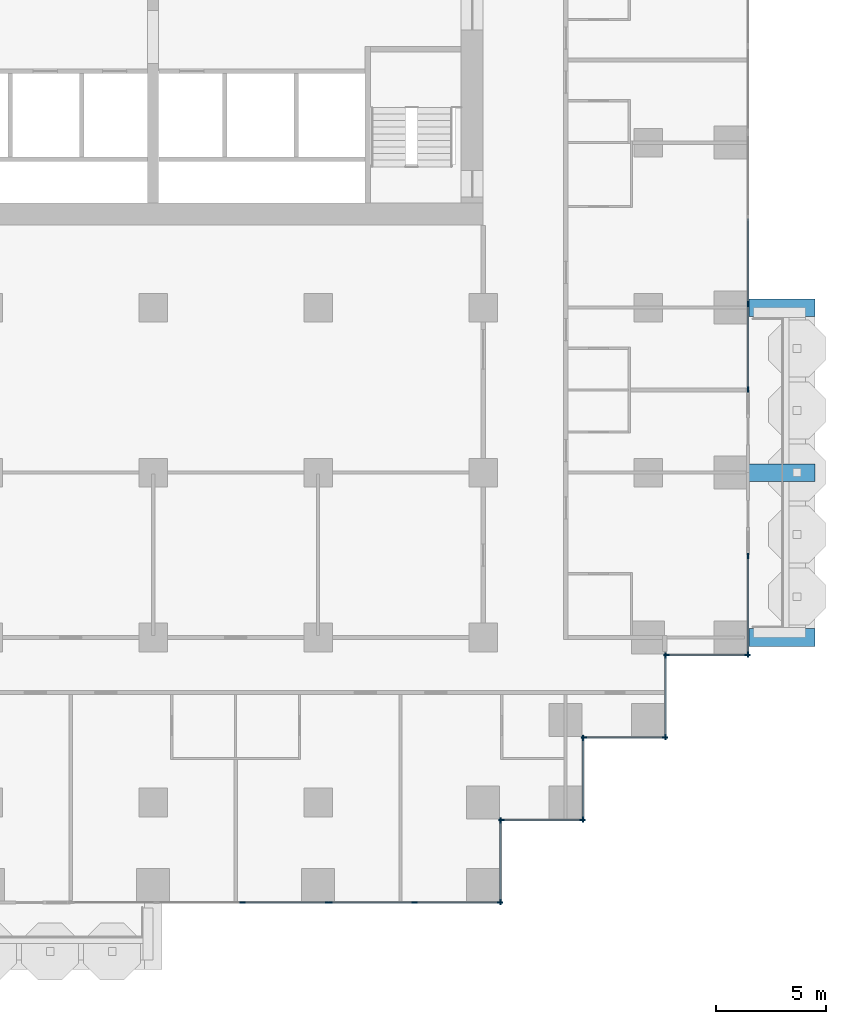
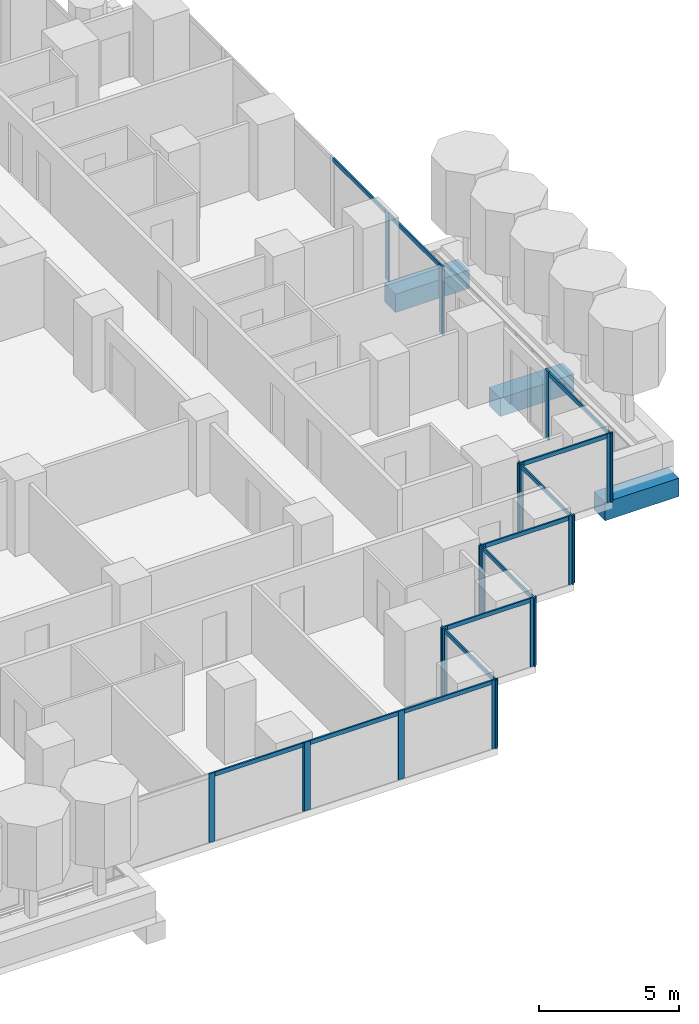
# One storey, part 4 of 18: 33 members, 3 beams, 10 elements without a shape of their own.
"""IFC4 building model written with IfcOpenShell, lengths in metres."""

import ifcopenshell
import ifcopenshell.guid

model = None  # the IFC model being written
_history = None  # IfcOwnerHistory: only IFC2X3 demands one
_inside = {}  # id of a spatial element -> (the spatial element, [elements in it])
_under = {}  # id of a project, library or spatial element -> (it, [spatial elements below it])
_declared = {}  # id of a project -> (the project, [libraries it declares])
_typed = {}  # id of a type object -> (the type object, [elements of that type])
_made_of = {}  # id of a material, layer set ... -> (it, [elements and type objects made of it])


def new_model(schema):
    """Start an empty IFC model of exactly this schema.

    Asked for "IFC4X3", IfcOpenShell would pick the latest addendum, in which some entities
    have other attributes; the version numbers below select the first issue.
    IFC2X3 requires an IfcOwnerHistory on every rooted entity: one is made here for all.
    """
    global model, _history
    if schema == "IFC4X3":
        model = ifcopenshell.file(schema_version=(4, 3, 0, 0))
    else:
        model = ifcopenshell.file(schema=schema)
    _inside.clear()
    _under.clear()
    _declared.clear()
    _typed.clear()
    _made_of.clear()
    _history = None
    if model.schema == "IFC2X3":
        org = make("IfcOrganization", Name="unknown")
        user = make(
            "IfcPersonAndOrganization",
            ThePerson=make("IfcPerson", FamilyName="unknown"),
            TheOrganization=org,
        )
        app = make(
            "IfcApplication",
            ApplicationDeveloper=org,
            Version="unknown",
            ApplicationFullName="unknown",
            ApplicationIdentifier="unknown",
        )
        _history = make(
            "IfcOwnerHistory",
            OwningUser=user,
            OwningApplication=app,
            ChangeAction="ADDED",
            CreationDate=0,
        )
    return model


def make(cls, **values):
    """One entity of the class cls with the attributes given. An attribute that is None is left unset."""
    return model.create_entity(
        cls, **{name: value for name, value in values.items() if value is not None}
    )


def rooted(cls, **values):
    """An entity with a GlobalId (a new one), such as an element, a storey or a relation."""
    return make(cls, GlobalId=ifcopenshell.guid.new(), OwnerHistory=_history, **values)


def si_unit(unit_type, name, prefix=None):
    """IfcSIUnit, for example si_unit("LENGTHUNIT", "METRE", prefix="MILLI")."""
    return make("IfcSIUnit", UnitType=unit_type, Prefix=prefix, Name=name)


def assignment(units):
    """IfcUnitAssignment: the units of a project."""
    return None if units is None else make("IfcUnitAssignment", Units=units)


def point(xyz):
    """IfcCartesianPoint."""
    return None if xyz is None else make("IfcCartesianPoint", Coordinates=xyz)


def direction(xyz):
    """IfcDirection."""
    return None if xyz is None else make("IfcDirection", DirectionRatios=xyz)


def frame(location, z_axis=None, x_axis=None):
    """IfcAxis2Placement3D, a coordinate frame: its origin and axes. An axis left out is left unset."""
    return make(
        "IfcAxis2Placement3D",
        Location=point(location),
        Axis=direction(z_axis),
        RefDirection=direction(x_axis),
    )


def frame_2d(location, x_axis=None):
    """IfcAxis2Placement2D, a coordinate frame in the plane: its origin and x axis."""
    return make(
        "IfcAxis2Placement2D", Location=point(location), RefDirection=direction(x_axis)
    )


def origin():
    """The frame at (0, 0, 0) with its axes left unset."""
    return frame((0.0, 0.0, 0.0))


def origin_2d():
    """The frame at (0, 0) in the plane with its x axis left unset."""
    return frame_2d((0.0, 0.0))


def place(relative_to, where):
    """IfcLocalPlacement: puts the frame where relative to a parent placement (None: the world)."""
    return make(
        "IfcLocalPlacement", PlacementRelTo=relative_to, RelativePlacement=where
    )


def context(
    kind, dimensions, precision=None, world=None, true_north=None, identifier=None
):
    """IfcGeometricRepresentationContext, for example the 3D "Model" context."""
    return make(
        "IfcGeometricRepresentationContext",
        ContextIdentifier=identifier,
        ContextType=kind,
        CoordinateSpaceDimension=dimensions,
        Precision=precision,
        WorldCoordinateSystem=world,
        TrueNorth=true_north,
    )


def subcontext(parent, identifier, kind, view, scale=None):
    """IfcGeometricRepresentationSubContext, for example "Body" below "Model"."""
    return make(
        "IfcGeometricRepresentationSubContext",
        ContextIdentifier=identifier,
        ContextType=kind,
        ParentContext=parent,
        TargetScale=scale,
        TargetView=view,
    )


def project(units=None, contexts=None):
    """IfcProject with its units and contexts."""
    return rooted(
        "IfcProject",
        Name="project",
        RepresentationContexts=contexts,
        UnitsInContext=assignment(units),
    )


def spatial(cls, under=None, at=None, **own):
    """A site, building, storey or space (cls), placed at a placement, below another one or the project."""
    s = rooted(cls, ObjectPlacement=at, **own)
    if under is not None:
        _under.setdefault(under.id(), (under, []))[1].append(s)
    return s


def profile(cls, at=None, kind="AREA", **sizes):
    """A parametric profile (cls). Its sizes go by their IFC names, for example OverallWidth=200.0."""
    return make(cls, ProfileType=kind, Position=at, **sizes)


def rectangle(**sizes):
    """IfcRectangleProfileDef."""
    return profile("IfcRectangleProfileDef", **sizes)


def extrude(swept, where, along, depth):
    """IfcExtrudedAreaSolid: the profile swept, set in the frame where, extruded along a direction by depth."""
    return make(
        "IfcExtrudedAreaSolid",
        SweptArea=swept,
        Position=where,
        ExtrudedDirection=direction(along),
        Depth=depth,
    )


def shape(context_of_items, identifier, shape_type, items):
    """IfcShapeRepresentation: the items that make up one representation, for example the "Body"."""
    return make(
        "IfcShapeRepresentation",
        ContextOfItems=context_of_items,
        RepresentationIdentifier=identifier,
        RepresentationType=shape_type,
        Items=items,
    )


def material(Name=None, Category=None):
    """IfcMaterial."""
    return make("IfcMaterial", Name=Name, Category=Category)


def material_profile(
    of_material, cross_section, Name=None, Category=None, Priority=None
):
    """IfcMaterialProfile: a cross section and its material."""
    return make(
        "IfcMaterialProfile",
        Name=Name,
        Material=of_material,
        Profile=cross_section,
        Priority=Priority,
        Category=Category,
    )


def profile_set(profiles, Name=None, composite=None):
    """IfcMaterialProfileSet."""
    return make(
        "IfcMaterialProfileSet",
        Name=Name,
        MaterialProfiles=profiles,
        CompositeProfile=composite,
    )


def made_of(thing, what):
    """Note that an element or type object is made of a material, layer set ...; save() writes the relation."""
    if what is not None:
        _made_of.setdefault(what.id(), (what, []))[1].append(thing)
    return thing


def type_object(cls, material=None, **own):
    """A type object (cls), such as IfcWallType, which elements share."""
    return made_of(rooted(cls, **own), material)


def element(
    cls,
    number,
    at=None,
    inside=None,
    cuts=None,
    type_object=None,
    material=None,
    context=None,
    identifier="Body",
    shape_type=None,
    held_by="IfcProductDefinitionShape",
    body=None,
    shapes=None,
    **own,
):
    """One element of the class cls, such as IfcWall. Its Tag is "e" and its number.

    at: its placement. inside: the storey or other place that contains it. cuts: it is an
    opening in that element (IfcRelVoidsElement). A single representation is given by context,
    identifier, shape_type and body (its items); several are given by shapes. held_by: the class
    of the entity that holds the representations. save() writes the other relations.
    """
    e = rooted(cls, Tag="e%d" % number, ObjectPlacement=at, **own)
    if body is not None:
        shapes = [shape(context, identifier, shape_type, body)]
    if shapes is not None:
        e.Representation = make(held_by, Representations=shapes)
    if inside is not None:
        _inside.setdefault(inside.id(), (inside, []))[1].append(e)
    if cuts is not None:
        rooted(
            "IfcRelVoidsElement", RelatingBuildingElement=cuts, RelatedOpeningElement=e
        )
    if type_object is not None:
        _typed.setdefault(type_object.id(), (type_object, []))[1].append(e)
    return made_of(e, material)


def aggregate(whole, parts):
    """IfcRelAggregates: a whole, such as a stair, and the parts it consists of."""
    return rooted("IfcRelAggregates", RelatingObject=whole, RelatedObjects=parts)


def save(model, path):
    """Write the relations noted so far, then the file.

    IfcRelAggregates (storeys below a building ...), IfcRelContainedInSpatialStructure (elements
    in a storey), IfcRelDefinesByType, IfcRelAssociatesMaterial and IfcRelDeclares: one each for
    every whole, place, type object, material and project.
    """
    for whole, parts in _under.values():
        aggregate(whole, parts)
    for where, things in _inside.values():
        rooted(
            "IfcRelContainedInSpatialStructure",
            RelatedElements=things,
            RelatingStructure=where,
        )
    for kind, things in _typed.values():
        rooted("IfcRelDefinesByType", RelatedObjects=things, RelatingType=kind)
    for what, things in _made_of.values():
        rooted("IfcRelAssociatesMaterial", RelatedObjects=things, RelatingMaterial=what)
    for by, libraries in _declared.values():
        rooted("IfcRelDeclares", RelatingContext=by, RelatedDefinitions=libraries)
    model.write(path)


model = new_model("IFC4")

# Units and contexts
model_context = context("Model", 3, precision=1e-05, world=origin(), true_north=direction((0.0, 1.0)))
body_context = subcontext(model_context, "Body", "Model", "MODEL_VIEW")
ifc_project = project(units=[si_unit("LENGTHUNIT", "METRE"), si_unit("AREAUNIT", "SQUARE_METRE"), si_unit("VOLUMEUNIT", "CUBIC_METRE"), si_unit("PLANEANGLEUNIT", "RADIAN"), si_unit("MASSUNIT", "GRAM", prefix="KILO")], contexts=[model_context])

# Site, building, storey
site_placement = place(None, origin())
site = spatial("IfcSite", under=ifc_project, at=site_placement, CompositionType="ELEMENT")
building_placement = place(site_placement, origin())
building = spatial("IfcBuilding", under=site, at=building_placement, Name="Pilkhan Gate Tower", CompositionType="ELEMENT")
storey_placement = place(building_placement, frame((0.0, 0.0, 56.0)))
storey = spatial("IfcBuildingStorey", under=building, at=storey_placement, Name="L11", CompositionType="ELEMENT", Elevation=56.0)

# Beams
ifc_material_1 = material(Name="Concrete C50/60", Category="concrete")
ifc_material_profile_1 = material_profile(ifc_material_1, rectangle(XDim=0.800048828125, YDim=0.800048828125, at=origin_2d()), Name="RC 800x800")
ifc_profile_set_1 = profile_set([ifc_material_profile_1], Name="Concrete C50/60")
beam_type = type_object("IfcBeamType", Name="Cantilever beam CB2 RC 800x800 C50/60", PredefinedType="BEAM", material=ifc_profile_set_1)
for number, where, z_axis, x_axis, name in (
    (1, (102.050048828125, 52.5, -0.699951171875), (1.0, 0.0, 0.0), (0.0, 1.0, 0.0), "Balcony beam E.1 L11"),
    (2, (102.050048828125, 60.0, -0.699951171875), (1.0, 0.0, 0.0), (0.0, 1.0, 0.0), "Balcony beam E.2 L11"),
    (3, (102.050048828125, 67.5, -0.699951171875), (1.0, 0.0, 0.0), (0.0, 1.0, 0.0), "Balcony beam E.3 L11"),
):
    element("IfcBeam", number, at=place(storey_placement, frame(where, z_axis=z_axis, x_axis=x_axis)), inside=storey, type_object=beam_type, Name=name, PredefinedType="BEAM", context=body_context, shape_type="SweptSolid", body=[
        extrude(rectangle(XDim=0.800048828125, YDim=0.800048828125, at=origin_2d()), origin(), (0.0, 0.0, 1.0), 3.050048828125),
    ])

# Curtain wall, members
ifc_material_2 = material(Name="Pale anodised aluminium, clear low-iron double glazing", Category="aluminium")
curtain_wall_type = type_object("IfcCurtainWallType", Name="Hotel unitised curtain wall CW-H", PredefinedType="USERDEFINED", material=ifc_material_2)
curtain_wall_1_placement = place(storey_placement, origin())
curtain_wall_1 = element("IfcCurtainWall", 4, at=curtain_wall_1_placement, inside=storey, type_object=curtain_wall_type, Name="Hotel unitised curtain wall CW-H L11 E", ObjectType="UNITISED CURTAIN WALL", PredefinedType="USERDEFINED")
ifc_material_3 = material(Name="Pale anodised aluminium", Category="aluminium")
ifc_material_profile_2 = material_profile(ifc_material_3, rectangle(XDim=0.06494140625, YDim=0.25, at=origin_2d()), Name="Mullion 250x65")
ifc_profile_set_2 = profile_set([ifc_material_profile_2], Name="Pale anodised aluminium")
member_type_1 = type_object("IfcMemberType", Name="Mullion CW-H 250x65", PredefinedType="MULLION", material=ifc_profile_set_2)
member_1_placement = place(storey_placement, frame((102.044921875, 51.737548828125, 0.0), z_axis=(0.0, 0.0, 1.0), x_axis=(-1.0, 0.0, 0.0)))
member_1 = element("IfcMember", 5, at=member_1_placement, type_object=member_type_1, Name="CW-H mullion 1", PredefinedType="MULLION", context=body_context, shape_type="SweptSolid", body=[
    extrude(rectangle(XDim=0.06494140625, YDim=0.25, at=origin_2d()), origin(), (0.0, 0.0, 1.0), 3.0),
])
member_2_placement = place(storey_placement, frame((102.044921875, 56.217529296875, 0.0), z_axis=(0.0, 0.0, 1.0), x_axis=(-1.0, 0.0, 0.0)))
member_2 = element("IfcMember", 6, at=member_2_placement, type_object=member_type_1, Name="CW-H mullion 2", PredefinedType="MULLION", context=body_context, shape_type="SweptSolid", body=[
    extrude(rectangle(XDim=0.06494140625, YDim=0.25, at=origin_2d()), origin(), (0.0, 0.0, 1.0), 3.0),
])

curtain_wall_2_placement = place(storey_placement, origin())
curtain_wall_2 = element("IfcCurtainWall", 7, at=curtain_wall_2_placement, inside=storey, type_object=curtain_wall_type, Name="Hotel unitised curtain wall CW-H L11 E", ObjectType="UNITISED CURTAIN WALL", PredefinedType="USERDEFINED")
member_3_placement = place(storey_placement, frame((102.044921875, 63.782470703125, 0.0), z_axis=(0.0, 0.0, 1.0), x_axis=(-1.0, 0.0, 0.0)))
member_3 = element("IfcMember", 8, at=member_3_placement, type_object=member_type_1, Name="CW-H mullion 1", PredefinedType="MULLION", context=body_context, shape_type="SweptSolid", body=[
    extrude(rectangle(XDim=0.06494140625, YDim=0.25, at=origin_2d()), origin(), (0.0, 0.0, 1.0), 3.0),
])
member_4_placement = place(storey_placement, frame((102.044921875, 67.658935546875, 0.0), z_axis=(0.0, 0.0, 1.0), x_axis=(-1.0, 0.0, 0.0)))
member_4 = element("IfcMember", 9, at=member_4_placement, type_object=member_type_1, Name="CW-H mullion 2", PredefinedType="MULLION", context=body_context, shape_type="SweptSolid", body=[
    extrude(rectangle(XDim=0.06494140625, YDim=0.25, at=origin_2d()), origin(), (0.0, 0.0, 1.0), 3.0),
])

curtain_wall_3_placement = place(storey_placement, origin())
curtain_wall_3 = element("IfcCurtainWall", 10, at=curtain_wall_3_placement, inside=storey, type_object=curtain_wall_type, Name="Hotel unitised curtain wall CW-H L11 S", ObjectType="UNITISED CURTAIN WALL", PredefinedType="USERDEFINED")
member_5_placement = place(storey_placement, frame((79.068115234375, 40.455078125, 0.0), z_axis=(0.0, 0.0, 1.0), x_axis=(0.0, 1.0, 0.0)))
member_5 = element("IfcMember", 11, at=member_5_placement, type_object=member_type_1, Name="CW-H mullion 3", PredefinedType="MULLION", context=body_context, shape_type="SweptSolid", body=[
    extrude(rectangle(XDim=0.06494140625, YDim=0.25, at=origin_2d()), origin(), (0.0, 0.0, 1.0), 3.0),
])
member_6_placement = place(storey_placement, frame((82.944580078125, 40.455078125, 0.0), z_axis=(0.0, 0.0, 1.0), x_axis=(0.0, 1.0, 0.0)))
member_6 = element("IfcMember", 12, at=member_6_placement, type_object=member_type_1, Name="CW-H mullion 4", PredefinedType="MULLION", context=body_context, shape_type="SweptSolid", body=[
    extrude(rectangle(XDim=0.06494140625, YDim=0.25, at=origin_2d()), origin(), (0.0, 0.0, 1.0), 3.0),
])

curtain_wall_4_placement = place(storey_placement, origin())
curtain_wall_4 = element("IfcCurtainWall", 13, at=curtain_wall_4_placement, inside=storey, type_object=curtain_wall_type, Name="Hotel unitised curtain wall CW-H L11 S", ObjectType="UNITISED CURTAIN WALL", PredefinedType="USERDEFINED")
member_7_placement = place(storey_placement, frame((83.009521484375, 40.455078125, 0.0), z_axis=(0.0, 0.0, 1.0), x_axis=(0.0, 1.0, 0.0)))
member_7 = element("IfcMember", 14, at=member_7_placement, type_object=member_type_1, Name="CW-H mullion 1", PredefinedType="MULLION", context=body_context, shape_type="SweptSolid", body=[
    extrude(rectangle(XDim=0.06494140625, YDim=0.25, at=origin_2d()), origin(), (0.0, 0.0, 1.0), 3.0),
])
member_8_placement = place(storey_placement, frame((86.885986328125, 40.455078125, 0.0), z_axis=(0.0, 0.0, 1.0), x_axis=(0.0, 1.0, 0.0)))
member_8 = element("IfcMember", 15, at=member_8_placement, type_object=member_type_1, Name="CW-H mullion 2", PredefinedType="MULLION", context=body_context, shape_type="SweptSolid", body=[
    extrude(rectangle(XDim=0.06494140625, YDim=0.25, at=origin_2d()), origin(), (0.0, 0.0, 1.0), 3.0),
])
member_9_placement = place(storey_placement, frame((90.762451171875, 40.455078125, 0.0), z_axis=(0.0, 0.0, 1.0), x_axis=(0.0, 1.0, 0.0)))
member_9 = element("IfcMember", 16, at=member_9_placement, type_object=member_type_1, Name="CW-H mullion 3", PredefinedType="MULLION", context=body_context, shape_type="SweptSolid", body=[
    extrude(rectangle(XDim=0.06494140625, YDim=0.25, at=origin_2d()), origin(), (0.0, 0.0, 1.0), 3.0),
])

curtain_wall_5_placement = place(storey_placement, origin())
curtain_wall_5 = element("IfcCurtainWall", 17, at=curtain_wall_5_placement, inside=storey, type_object=curtain_wall_type, Name="Hotel unitised curtain wall CW-H L11 E", ObjectType="UNITISED CURTAIN WALL", PredefinedType="USERDEFINED")
member_10_placement = place(storey_placement, frame((90.794921875, 40.487548828125, 0.0), z_axis=(0.0, 0.0, 1.0), x_axis=(-1.0, 0.0, 0.0)))
member_10 = element("IfcMember", 18, at=member_10_placement, type_object=member_type_1, Name="CW-H mullion 1", PredefinedType="MULLION", context=body_context, shape_type="SweptSolid", body=[
    extrude(rectangle(XDim=0.06494140625, YDim=0.25, at=origin_2d()), origin(), (0.0, 0.0, 1.0), 3.0),
])
member_11_placement = place(storey_placement, frame((90.794921875, 44.172607421875, 0.0), z_axis=(0.0, 0.0, 1.0), x_axis=(-1.0, 0.0, 0.0)))
member_11 = element("IfcMember", 19, at=member_11_placement, type_object=member_type_1, Name="CW-H mullion 2", PredefinedType="MULLION", context=body_context, shape_type="SweptSolid", body=[
    extrude(rectangle(XDim=0.06494140625, YDim=0.25, at=origin_2d()), origin(), (0.0, 0.0, 1.0), 3.0),
])

curtain_wall_6_placement = place(storey_placement, origin())
curtain_wall_6 = element("IfcCurtainWall", 20, at=curtain_wall_6_placement, inside=storey, type_object=curtain_wall_type, Name="Hotel unitised curtain wall CW-H L11 S", ObjectType="UNITISED CURTAIN WALL", PredefinedType="USERDEFINED")
member_12_placement = place(storey_placement, frame((90.827392578125, 44.205078125, 0.0), z_axis=(0.0, 0.0, 1.0), x_axis=(0.0, 1.0, 0.0)))
member_12 = element("IfcMember", 21, at=member_12_placement, type_object=member_type_1, Name="CW-H mullion 1", PredefinedType="MULLION", context=body_context, shape_type="SweptSolid", body=[
    extrude(rectangle(XDim=0.06494140625, YDim=0.25, at=origin_2d()), origin(), (0.0, 0.0, 1.0), 3.0),
])
member_13_placement = place(storey_placement, frame((94.512451171875, 44.205078125, 0.0), z_axis=(0.0, 0.0, 1.0), x_axis=(0.0, 1.0, 0.0)))
member_13 = element("IfcMember", 22, at=member_13_placement, type_object=member_type_1, Name="CW-H mullion 2", PredefinedType="MULLION", context=body_context, shape_type="SweptSolid", body=[
    extrude(rectangle(XDim=0.06494140625, YDim=0.25, at=origin_2d()), origin(), (0.0, 0.0, 1.0), 3.0),
])

curtain_wall_7_placement = place(storey_placement, origin())
curtain_wall_7 = element("IfcCurtainWall", 23, at=curtain_wall_7_placement, inside=storey, type_object=curtain_wall_type, Name="Hotel unitised curtain wall CW-H L11 E", ObjectType="UNITISED CURTAIN WALL", PredefinedType="USERDEFINED")
member_14_placement = place(storey_placement, frame((94.544921875, 44.237548828125, 0.0), z_axis=(0.0, 0.0, 1.0), x_axis=(-1.0, 0.0, 0.0)))
member_14 = element("IfcMember", 24, at=member_14_placement, type_object=member_type_1, Name="CW-H mullion 1", PredefinedType="MULLION", context=body_context, shape_type="SweptSolid", body=[
    extrude(rectangle(XDim=0.06494140625, YDim=0.25, at=origin_2d()), origin(), (0.0, 0.0, 1.0), 3.0),
])
member_15_placement = place(storey_placement, frame((94.544921875, 47.922607421875, 0.0), z_axis=(0.0, 0.0, 1.0), x_axis=(-1.0, 0.0, 0.0)))
member_15 = element("IfcMember", 25, at=member_15_placement, type_object=member_type_1, Name="CW-H mullion 2", PredefinedType="MULLION", context=body_context, shape_type="SweptSolid", body=[
    extrude(rectangle(XDim=0.06494140625, YDim=0.25, at=origin_2d()), origin(), (0.0, 0.0, 1.0), 3.0),
])

curtain_wall_8_placement = place(storey_placement, origin())
curtain_wall_8 = element("IfcCurtainWall", 26, at=curtain_wall_8_placement, inside=storey, type_object=curtain_wall_type, Name="Hotel unitised curtain wall CW-H L11 S", ObjectType="UNITISED CURTAIN WALL", PredefinedType="USERDEFINED")
member_16_placement = place(storey_placement, frame((94.577392578125, 47.955078125, 0.0), z_axis=(0.0, 0.0, 1.0), x_axis=(0.0, 1.0, 0.0)))
member_16 = element("IfcMember", 27, at=member_16_placement, type_object=member_type_1, Name="CW-H mullion 1", PredefinedType="MULLION", context=body_context, shape_type="SweptSolid", body=[
    extrude(rectangle(XDim=0.06494140625, YDim=0.25, at=origin_2d()), origin(), (0.0, 0.0, 1.0), 3.0),
])
member_17_placement = place(storey_placement, frame((98.262451171875, 47.955078125, 0.0), z_axis=(0.0, 0.0, 1.0), x_axis=(0.0, 1.0, 0.0)))
member_17 = element("IfcMember", 28, at=member_17_placement, type_object=member_type_1, Name="CW-H mullion 2", PredefinedType="MULLION", context=body_context, shape_type="SweptSolid", body=[
    extrude(rectangle(XDim=0.06494140625, YDim=0.25, at=origin_2d()), origin(), (0.0, 0.0, 1.0), 3.0),
])

curtain_wall_9_placement = place(storey_placement, origin())
curtain_wall_9 = element("IfcCurtainWall", 29, at=curtain_wall_9_placement, inside=storey, type_object=curtain_wall_type, Name="Hotel unitised curtain wall CW-H L11 E", ObjectType="UNITISED CURTAIN WALL", PredefinedType="USERDEFINED")
member_18_placement = place(storey_placement, frame((98.294921875, 47.987548828125, 0.0), z_axis=(0.0, 0.0, 1.0), x_axis=(-1.0, 0.0, 0.0)))
member_18 = element("IfcMember", 30, at=member_18_placement, type_object=member_type_1, Name="CW-H mullion 1", PredefinedType="MULLION", context=body_context, shape_type="SweptSolid", body=[
    extrude(rectangle(XDim=0.06494140625, YDim=0.25, at=origin_2d()), origin(), (0.0, 0.0, 1.0), 3.0),
])
member_19_placement = place(storey_placement, frame((98.294921875, 51.672607421875, 0.0), z_axis=(0.0, 0.0, 1.0), x_axis=(-1.0, 0.0, 0.0)))
member_19 = element("IfcMember", 31, at=member_19_placement, type_object=member_type_1, Name="CW-H mullion 2", PredefinedType="MULLION", context=body_context, shape_type="SweptSolid", body=[
    extrude(rectangle(XDim=0.06494140625, YDim=0.25, at=origin_2d()), origin(), (0.0, 0.0, 1.0), 3.0),
])

curtain_wall_10_placement = place(storey_placement, origin())
curtain_wall_10 = element("IfcCurtainWall", 32, at=curtain_wall_10_placement, inside=storey, type_object=curtain_wall_type, Name="Hotel unitised curtain wall CW-H L11 S", ObjectType="UNITISED CURTAIN WALL", PredefinedType="USERDEFINED")
member_20_placement = place(storey_placement, frame((98.327392578125, 51.705078125, 0.0), z_axis=(0.0, 0.0, 1.0), x_axis=(0.0, 1.0, 0.0)))
member_20 = element("IfcMember", 33, at=member_20_placement, type_object=member_type_1, Name="CW-H mullion 1", PredefinedType="MULLION", context=body_context, shape_type="SweptSolid", body=[
    extrude(rectangle(XDim=0.06494140625, YDim=0.25, at=origin_2d()), origin(), (0.0, 0.0, 1.0), 3.0),
])
member_21_placement = place(storey_placement, frame((102.012451171875, 51.705078125, 0.0), z_axis=(0.0, 0.0, 1.0), x_axis=(0.0, 1.0, 0.0)))
member_21 = element("IfcMember", 34, at=member_21_placement, type_object=member_type_1, Name="CW-H mullion 2", PredefinedType="MULLION", context=body_context, shape_type="SweptSolid", body=[
    extrude(rectangle(XDim=0.06494140625, YDim=0.25, at=origin_2d()), origin(), (0.0, 0.0, 1.0), 3.0),
])

# Member
ifc_material_profile_3 = material_profile(ifc_material_3, rectangle(XDim=0.06494140625, YDim=0.179931640625, at=origin_2d()), Name="Transom 180x65")
ifc_profile_set_3 = profile_set([ifc_material_profile_3], Name="Pale anodised aluminium")
member_type_2 = type_object("IfcMemberType", Name="Transom CW-H 180x65", PredefinedType="USERDEFINED", material=ifc_profile_set_3)
member_22_placement = place(storey_placement, frame((102.044921875, 51.77001953125, 2.909912109375), z_axis=(0.0, 1.0, 0.0), x_axis=(-1.0, 0.0, 0.0)))
member_22 = element("IfcMember", 35, at=member_22_placement, type_object=member_type_2, Name="CW-H transom 1", ObjectType="TRANSOM", PredefinedType="USERDEFINED", context=body_context, shape_type="SweptSolid", body=[
    extrude(rectangle(XDim=0.06494140625, YDim=0.179931640625, at=origin_2d()), origin(), (0.0, 0.0, 1.0), 4.4150390625),
])

aggregate(curtain_wall_1, [member_1, member_2, member_22])

member_23_placement = place(storey_placement, frame((102.044921875, 63.81494140625, 2.909912109375), z_axis=(0.0, 1.0, 0.0), x_axis=(-1.0, 0.0, 0.0)))
member_23 = element("IfcMember", 36, at=member_23_placement, type_object=member_type_2, Name="CW-H transom 1", ObjectType="TRANSOM", PredefinedType="USERDEFINED", context=body_context, shape_type="SweptSolid", body=[
    extrude(rectangle(XDim=0.06494140625, YDim=0.179931640625, at=origin_2d()), origin(), (0.0, 0.0, 1.0), 3.8115234375),
])

member_24_placement = place(storey_placement, frame((102.044921875, 67.69140625, 2.909912109375), z_axis=(0.0, 1.0, 0.0), x_axis=(-1.0, 0.0, 0.0)))
member_24 = element("IfcMember", 37, at=member_24_placement, type_object=member_type_2, Name="CW-H transom 2", ObjectType="TRANSOM", PredefinedType="USERDEFINED", context=body_context, shape_type="SweptSolid", body=[
    extrude(rectangle(XDim=0.06494140625, YDim=0.179931640625, at=origin_2d()), origin(), (0.0, 0.0, 1.0), 3.843994140625),
])

aggregate(curtain_wall_2, [member_3, member_4, member_23, member_24])

member_25_placement = place(storey_placement, frame((79.1005859375, 40.455078125, 2.909912109375), z_axis=(1.0, 0.0, 0.0), x_axis=(0.0, 1.0, 0.0)))
member_25 = element("IfcMember", 38, at=member_25_placement, type_object=member_type_2, Name="CW-H transom 3", ObjectType="TRANSOM", PredefinedType="USERDEFINED", context=body_context, shape_type="SweptSolid", body=[
    extrude(rectangle(XDim=0.06494140625, YDim=0.179931640625, at=origin_2d()), origin(), (0.0, 0.0, 1.0), 3.8115234375),
])

aggregate(curtain_wall_3, [member_5, member_6, member_25])

member_26_placement = place(storey_placement, frame((83.0419921875, 40.455078125, 2.909912109375), z_axis=(1.0, 0.0, 0.0), x_axis=(0.0, 1.0, 0.0)))
member_26 = element("IfcMember", 39, at=member_26_placement, type_object=member_type_2, Name="CW-H transom 1", ObjectType="TRANSOM", PredefinedType="USERDEFINED", context=body_context, shape_type="SweptSolid", body=[
    extrude(rectangle(XDim=0.06494140625, YDim=0.179931640625, at=origin_2d()), origin(), (0.0, 0.0, 1.0), 3.8115234375),
])

member_27_placement = place(storey_placement, frame((86.91845703125, 40.455078125, 2.909912109375), z_axis=(1.0, 0.0, 0.0), x_axis=(0.0, 1.0, 0.0)))
member_27 = element("IfcMember", 40, at=member_27_placement, type_object=member_type_2, Name="CW-H transom 2", ObjectType="TRANSOM", PredefinedType="USERDEFINED", context=body_context, shape_type="SweptSolid", body=[
    extrude(rectangle(XDim=0.06494140625, YDim=0.179931640625, at=origin_2d()), origin(), (0.0, 0.0, 1.0), 3.8115234375),
])

aggregate(curtain_wall_4, [member_7, member_8, member_9, member_26, member_27])

member_28_placement = place(storey_placement, frame((90.794921875, 40.52001953125, 2.909912109375), z_axis=(0.0, 1.0, 0.0), x_axis=(-1.0, 0.0, 0.0)))
member_28 = element("IfcMember", 41, at=member_28_placement, type_object=member_type_2, Name="CW-H transom 1", ObjectType="TRANSOM", PredefinedType="USERDEFINED", context=body_context, shape_type="SweptSolid", body=[
    extrude(rectangle(XDim=0.06494140625, YDim=0.179931640625, at=origin_2d()), origin(), (0.0, 0.0, 1.0), 3.619873046875),
])

aggregate(curtain_wall_5, [member_10, member_11, member_28])

member_29_placement = place(storey_placement, frame((90.860107421875, 44.205078125, 2.909912109375), z_axis=(1.0, 0.0, 0.0), x_axis=(0.0, 1.0, 0.0)))
member_29 = element("IfcMember", 42, at=member_29_placement, type_object=member_type_2, Name="CW-H transom 1", ObjectType="TRANSOM", PredefinedType="USERDEFINED", context=body_context, shape_type="SweptSolid", body=[
    extrude(rectangle(XDim=0.06494140625, YDim=0.179931640625, at=origin_2d()), origin(), (0.0, 0.0, 1.0), 3.619873046875),
])

aggregate(curtain_wall_6, [member_12, member_13, member_29])

member_30_placement = place(storey_placement, frame((94.544921875, 44.27001953125, 2.909912109375), z_axis=(0.0, 1.0, 0.0), x_axis=(-1.0, 0.0, 0.0)))
member_30 = element("IfcMember", 43, at=member_30_placement, type_object=member_type_2, Name="CW-H transom 1", ObjectType="TRANSOM", PredefinedType="USERDEFINED", context=body_context, shape_type="SweptSolid", body=[
    extrude(rectangle(XDim=0.06494140625, YDim=0.179931640625, at=origin_2d()), origin(), (0.0, 0.0, 1.0), 3.619873046875),
])

aggregate(curtain_wall_7, [member_14, member_15, member_30])

member_31_placement = place(storey_placement, frame((94.610107421875, 47.955078125, 2.909912109375), z_axis=(1.0, 0.0, 0.0), x_axis=(0.0, 1.0, 0.0)))
member_31 = element("IfcMember", 44, at=member_31_placement, type_object=member_type_2, Name="CW-H transom 1", ObjectType="TRANSOM", PredefinedType="USERDEFINED", context=body_context, shape_type="SweptSolid", body=[
    extrude(rectangle(XDim=0.06494140625, YDim=0.179931640625, at=origin_2d()), origin(), (0.0, 0.0, 1.0), 3.619873046875),
])

aggregate(curtain_wall_8, [member_16, member_17, member_31])

member_32_placement = place(storey_placement, frame((98.294921875, 48.02001953125, 2.909912109375), z_axis=(0.0, 1.0, 0.0), x_axis=(-1.0, 0.0, 0.0)))
member_32 = element("IfcMember", 45, at=member_32_placement, type_object=member_type_2, Name="CW-H transom 1", ObjectType="TRANSOM", PredefinedType="USERDEFINED", context=body_context, shape_type="SweptSolid", body=[
    extrude(rectangle(XDim=0.06494140625, YDim=0.179931640625, at=origin_2d()), origin(), (0.0, 0.0, 1.0), 3.619873046875),
])

aggregate(curtain_wall_9, [member_18, member_19, member_32])

member_33_placement = place(storey_placement, frame((98.360107421875, 51.705078125, 2.909912109375), z_axis=(1.0, 0.0, 0.0), x_axis=(0.0, 1.0, 0.0)))
member_33 = element("IfcMember", 46, at=member_33_placement, type_object=member_type_2, Name="CW-H transom 1", ObjectType="TRANSOM", PredefinedType="USERDEFINED", context=body_context, shape_type="SweptSolid", body=[
    extrude(rectangle(XDim=0.06494140625, YDim=0.179931640625, at=origin_2d()), origin(), (0.0, 0.0, 1.0), 3.619873046875),
])

aggregate(curtain_wall_10, [member_20, member_21, member_33])

save(model, "model.ifc")
